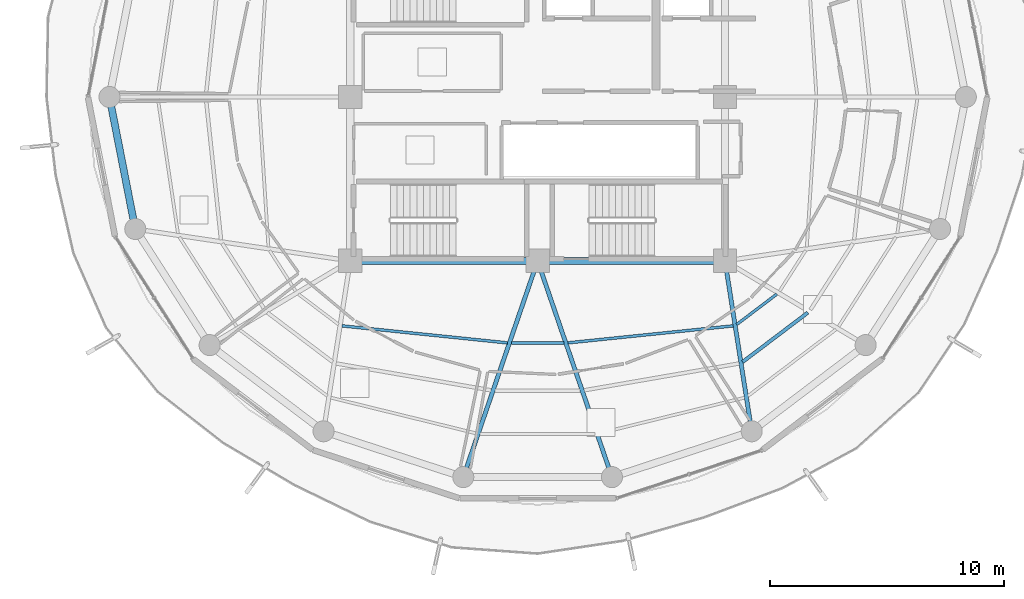
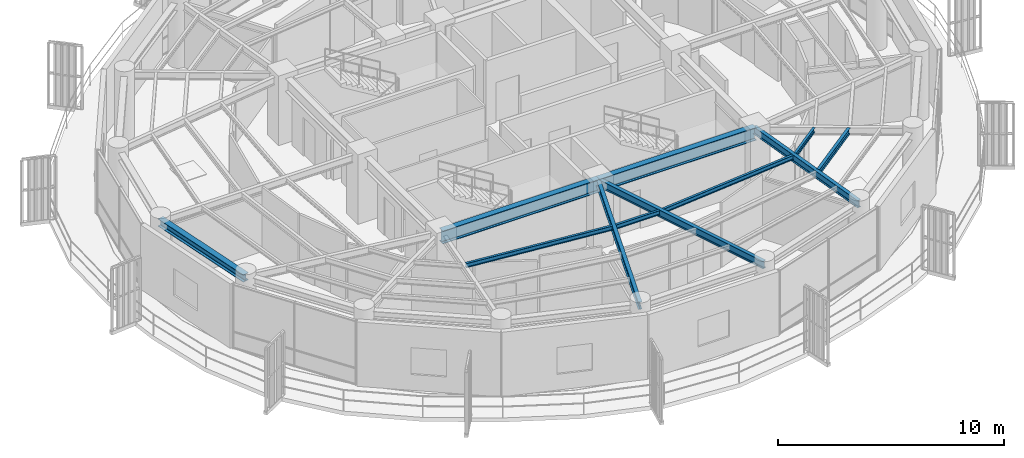
# One storey, part 4 of 22: 11 beams.
"""IFC4 building model written with IfcOpenShell, lengths in metres."""

import ifcopenshell
import ifcopenshell.guid

model = None  # the IFC model being written
_history = None  # IfcOwnerHistory: only IFC2X3 demands one
_inside = {}  # id of a spatial element -> (the spatial element, [elements in it])
_under = {}  # id of a project, library or spatial element -> (it, [spatial elements below it])
_declared = {}  # id of a project -> (the project, [libraries it declares])
_typed = {}  # id of a type object -> (the type object, [elements of that type])
_made_of = {}  # id of a material, layer set ... -> (it, [elements and type objects made of it])


def new_model(schema):
    """Start an empty IFC model of exactly this schema.

    Asked for "IFC4X3", IfcOpenShell would pick the latest addendum, in which some entities
    have other attributes; the version numbers below select the first issue.
    IFC2X3 requires an IfcOwnerHistory on every rooted entity: one is made here for all.
    """
    global model, _history
    if schema == "IFC4X3":
        model = ifcopenshell.file(schema_version=(4, 3, 0, 0))
    else:
        model = ifcopenshell.file(schema=schema)
    _inside.clear()
    _under.clear()
    _declared.clear()
    _typed.clear()
    _made_of.clear()
    _history = None
    if model.schema == "IFC2X3":
        org = make("IfcOrganization", Name="unknown")
        user = make(
            "IfcPersonAndOrganization",
            ThePerson=make("IfcPerson", FamilyName="unknown"),
            TheOrganization=org,
        )
        app = make(
            "IfcApplication",
            ApplicationDeveloper=org,
            Version="unknown",
            ApplicationFullName="unknown",
            ApplicationIdentifier="unknown",
        )
        _history = make(
            "IfcOwnerHistory",
            OwningUser=user,
            OwningApplication=app,
            ChangeAction="ADDED",
            CreationDate=0,
        )
    return model


def make(cls, **values):
    """One entity of the class cls with the attributes given. An attribute that is None is left unset."""
    return model.create_entity(
        cls, **{name: value for name, value in values.items() if value is not None}
    )


def rooted(cls, **values):
    """An entity with a GlobalId (a new one), such as an element, a storey or a relation."""
    return make(cls, GlobalId=ifcopenshell.guid.new(), OwnerHistory=_history, **values)


def si_unit(unit_type, name, prefix=None):
    """IfcSIUnit, for example si_unit("LENGTHUNIT", "METRE", prefix="MILLI")."""
    return make("IfcSIUnit", UnitType=unit_type, Prefix=prefix, Name=name)


def assignment(units):
    """IfcUnitAssignment: the units of a project."""
    return None if units is None else make("IfcUnitAssignment", Units=units)


def point(xyz):
    """IfcCartesianPoint."""
    return None if xyz is None else make("IfcCartesianPoint", Coordinates=xyz)


def direction(xyz):
    """IfcDirection."""
    return None if xyz is None else make("IfcDirection", DirectionRatios=xyz)


def frame(location, z_axis=None, x_axis=None):
    """IfcAxis2Placement3D, a coordinate frame: its origin and axes. An axis left out is left unset."""
    return make(
        "IfcAxis2Placement3D",
        Location=point(location),
        Axis=direction(z_axis),
        RefDirection=direction(x_axis),
    )


def frame_2d(location, x_axis=None):
    """IfcAxis2Placement2D, a coordinate frame in the plane: its origin and x axis."""
    return make(
        "IfcAxis2Placement2D", Location=point(location), RefDirection=direction(x_axis)
    )


def origin():
    """The frame at (0, 0, 0) with its axes left unset."""
    return frame((0.0, 0.0, 0.0))


def origin_2d():
    """The frame at (0, 0) in the plane with its x axis left unset."""
    return frame_2d((0.0, 0.0))


def place(relative_to, where):
    """IfcLocalPlacement: puts the frame where relative to a parent placement (None: the world)."""
    return make(
        "IfcLocalPlacement", PlacementRelTo=relative_to, RelativePlacement=where
    )


def context(
    kind, dimensions, precision=None, world=None, true_north=None, identifier=None
):
    """IfcGeometricRepresentationContext, for example the 3D "Model" context."""
    return make(
        "IfcGeometricRepresentationContext",
        ContextIdentifier=identifier,
        ContextType=kind,
        CoordinateSpaceDimension=dimensions,
        Precision=precision,
        WorldCoordinateSystem=world,
        TrueNorth=true_north,
    )


def subcontext(parent, identifier, kind, view, scale=None):
    """IfcGeometricRepresentationSubContext, for example "Body" below "Model"."""
    return make(
        "IfcGeometricRepresentationSubContext",
        ContextIdentifier=identifier,
        ContextType=kind,
        ParentContext=parent,
        TargetScale=scale,
        TargetView=view,
    )


def project(units=None, contexts=None):
    """IfcProject with its units and contexts."""
    return rooted(
        "IfcProject",
        Name="project",
        RepresentationContexts=contexts,
        UnitsInContext=assignment(units),
    )


def spatial(cls, under=None, at=None, **own):
    """A site, building, storey or space (cls), placed at a placement, below another one or the project."""
    s = rooted(cls, ObjectPlacement=at, **own)
    if under is not None:
        _under.setdefault(under.id(), (under, []))[1].append(s)
    return s


def profile(cls, at=None, kind="AREA", **sizes):
    """A parametric profile (cls). Its sizes go by their IFC names, for example OverallWidth=200.0."""
    return make(cls, ProfileType=kind, Position=at, **sizes)


def i_section(**sizes):
    """IfcIShapeProfileDef."""
    return profile("IfcIShapeProfileDef", **sizes)


def extrude(swept, where, along, depth):
    """IfcExtrudedAreaSolid: the profile swept, set in the frame where, extruded along a direction by depth."""
    return make(
        "IfcExtrudedAreaSolid",
        SweptArea=swept,
        Position=where,
        ExtrudedDirection=direction(along),
        Depth=depth,
    )


def shape(context_of_items, identifier, shape_type, items):
    """IfcShapeRepresentation: the items that make up one representation, for example the "Body"."""
    return make(
        "IfcShapeRepresentation",
        ContextOfItems=context_of_items,
        RepresentationIdentifier=identifier,
        RepresentationType=shape_type,
        Items=items,
    )


def material(Name=None, Category=None):
    """IfcMaterial."""
    return make("IfcMaterial", Name=Name, Category=Category)


def material_profile(
    of_material, cross_section, Name=None, Category=None, Priority=None
):
    """IfcMaterialProfile: a cross section and its material."""
    return make(
        "IfcMaterialProfile",
        Name=Name,
        Material=of_material,
        Profile=cross_section,
        Priority=Priority,
        Category=Category,
    )


def profile_set(profiles, Name=None, composite=None):
    """IfcMaterialProfileSet."""
    return make(
        "IfcMaterialProfileSet",
        Name=Name,
        MaterialProfiles=profiles,
        CompositeProfile=composite,
    )


def made_of(thing, what):
    """Note that an element or type object is made of a material, layer set ...; save() writes the relation."""
    if what is not None:
        _made_of.setdefault(what.id(), (what, []))[1].append(thing)
    return thing


def type_object(cls, material=None, **own):
    """A type object (cls), such as IfcWallType, which elements share."""
    return made_of(rooted(cls, **own), material)


def element(
    cls,
    number,
    at=None,
    inside=None,
    cuts=None,
    type_object=None,
    material=None,
    context=None,
    identifier="Body",
    shape_type=None,
    held_by="IfcProductDefinitionShape",
    body=None,
    shapes=None,
    **own,
):
    """One element of the class cls, such as IfcWall. Its Tag is "e" and its number.

    at: its placement. inside: the storey or other place that contains it. cuts: it is an
    opening in that element (IfcRelVoidsElement). A single representation is given by context,
    identifier, shape_type and body (its items); several are given by shapes. held_by: the class
    of the entity that holds the representations. save() writes the other relations.
    """
    e = rooted(cls, Tag="e%d" % number, ObjectPlacement=at, **own)
    if body is not None:
        shapes = [shape(context, identifier, shape_type, body)]
    if shapes is not None:
        e.Representation = make(held_by, Representations=shapes)
    if inside is not None:
        _inside.setdefault(inside.id(), (inside, []))[1].append(e)
    if cuts is not None:
        rooted(
            "IfcRelVoidsElement", RelatingBuildingElement=cuts, RelatedOpeningElement=e
        )
    if type_object is not None:
        _typed.setdefault(type_object.id(), (type_object, []))[1].append(e)
    return made_of(e, material)


def aggregate(whole, parts):
    """IfcRelAggregates: a whole, such as a stair, and the parts it consists of."""
    return rooted("IfcRelAggregates", RelatingObject=whole, RelatedObjects=parts)


def save(model, path):
    """Write the relations noted so far, then the file.

    IfcRelAggregates (storeys below a building ...), IfcRelContainedInSpatialStructure (elements
    in a storey), IfcRelDefinesByType, IfcRelAssociatesMaterial and IfcRelDeclares: one each for
    every whole, place, type object, material and project.
    """
    for whole, parts in _under.values():
        aggregate(whole, parts)
    for where, things in _inside.values():
        rooted(
            "IfcRelContainedInSpatialStructure",
            RelatedElements=things,
            RelatingStructure=where,
        )
    for kind, things in _typed.values():
        rooted("IfcRelDefinesByType", RelatedObjects=things, RelatingType=kind)
    for what, things in _made_of.values():
        rooted("IfcRelAssociatesMaterial", RelatedObjects=things, RelatingMaterial=what)
    for by, libraries in _declared.values():
        rooted("IfcRelDeclares", RelatingContext=by, RelatedDefinitions=libraries)
    model.write(path)


model = new_model("IFC4")

# Units and contexts
model_context = context("Model", 3, precision=1e-05, world=origin(), true_north=direction((0.0, 1.0)))
body_context = subcontext(model_context, "Body", "Model", "MODEL_VIEW")
ifc_project = project(units=[si_unit("LENGTHUNIT", "METRE"), si_unit("AREAUNIT", "SQUARE_METRE"), si_unit("VOLUMEUNIT", "CUBIC_METRE"), si_unit("PLANEANGLEUNIT", "RADIAN"), si_unit("MASSUNIT", "GRAM", prefix="KILO")], contexts=[model_context])

# Site, building, storey
site_placement = place(None, origin())
site = spatial("IfcSite", under=ifc_project, at=site_placement, CompositionType="ELEMENT")
building_placement = place(site_placement, origin())
building = spatial("IfcBuilding", under=site, at=building_placement, Name="Kelanora Arch Commons", CompositionType="ELEMENT")
storey_placement = place(building_placement, frame((0.0, 0.0, 259.949951171875)))
storey = spatial("IfcBuildingStorey", under=building, at=storey_placement, Name="L66", CompositionType="ELEMENT", Elevation=259.949951171875)

# Beams
ifc_material = material(Name="Steel S355", Category="steel")
ifc_material_profile_1 = material_profile(ifc_material, i_section(OverallWidth=0.300048828125, OverallDepth=0.699951171875, WebThickness=0.01708984375, FlangeThickness=0.031982421875, FilletRadius=0.027099609375, at=origin_2d()), Name="HEB700")
ifc_profile_set_1 = profile_set([ifc_material_profile_1], Name="Steel S355")
beam_type_1 = type_object("IfcBeamType", Name="BM-CORE-HDR", PredefinedType="BEAM", material=ifc_profile_set_1)
for number, where, z_axis, x_axis, name in (
    (1, (66.0, 51.0, 3.14013671875), (1.0, 0.0, 0.0), (0.0, 1.0, 0.0), "Core Header Beam 01 L66"),
    (2, (74.0, 51.0, 3.14013671875), (1.0, 0.0, 0.0), (0.0, 1.0, 0.0), "Core Header Beam 02 L66"),
):
    element("IfcBeam", number, at=place(storey_placement, frame(where, z_axis=z_axis, x_axis=x_axis)), inside=storey, type_object=beam_type_1, Name=name, PredefinedType="BEAM", context=body_context, shape_type="SweptSolid", body=[
        extrude(i_section(OverallWidth=0.300048828125, OverallDepth=0.699951171875, WebThickness=0.01708984375, FlangeThickness=0.031982421875, FilletRadius=0.027099609375, at=origin_2d()), origin(), (0.0, 0.0, 1.0), 8.0),
    ])
ifc_material_profile_2 = material_profile(ifc_material, i_section(OverallWidth=0.14990234375, OverallDepth=0.300048828125, WebThickness=0.007080078125, FlangeThickness=0.0107421875, FilletRadius=0.014892578125, at=origin_2d()), Name="IPE300")
ifc_profile_set_2 = profile_set([ifc_material_profile_2], Name="Steel S355")
beam_type_2 = type_object("IfcBeamType", Name="BM-JST-01", PredefinedType="JOIST", material=ifc_profile_set_2)
beam_1_placement = place(storey_placement, frame((82.751708984375, 46.68798828125, 3.340087890625), z_axis=(0.797499198801, 0.603320004568, 0.0), x_axis=(-0.603320004568, 0.797499198801, 0.0)))
element("IfcBeam", 3, at=beam_1_placement, inside=storey, type_object=beam_type_2, Name="Secondary Chord Joist BJB-30 L66", PredefinedType="JOIST", context=body_context, shape_type="SweptSolid", body=[
    extrude(i_section(OverallWidth=0.14990234375, OverallDepth=0.300048828125, WebThickness=0.007080078125, FlangeThickness=0.0107421875, FilletRadius=0.014892578125, at=origin_2d()), origin(), (0.0, 0.0, 1.0), 3.489013671875),
])
ifc_material_profile_3 = material_profile(ifc_material, i_section(OverallWidth=0.1201171875, OverallDepth=0.239990234375, WebThickness=0.006103515625, FlangeThickness=0.009765625, FilletRadius=0.014892578125, at=origin_2d()), Name="IPE240")
ifc_profile_set_3 = profile_set([ifc_material_profile_3], Name="Steel S355")
beam_type_3 = type_object("IfcBeamType", Name="BM-JST-02", PredefinedType="JOIST", material=ifc_profile_set_3)
beam_2_placement = place(storey_placement, frame((65.6513671875, 48.227783203125, 3.3701171875), z_axis=(0.994746545688, -0.102368500239, 0.0), x_axis=(0.102368500239, 0.994746545688, 0.0)))
element("IfcBeam", 4, at=beam_2_placement, inside=storey, type_object=beam_type_3, Name="Secondary Chord Joist BJA-24 L66", PredefinedType="JOIST", context=body_context, shape_type="SweptSolid", body=[
    extrude(i_section(OverallWidth=0.1201171875, OverallDepth=0.239990234375, WebThickness=0.006103515625, FlangeThickness=0.009765625, FilletRadius=0.014892578125, at=origin_2d()), origin(), (0.0, 0.0, 1.0), 7.09521484375),
])
beam_3_placement = place(storey_placement, frame((72.87890625, 47.492919921875, 3.3701171875), z_axis=(1.0, 0.0, 0.0), x_axis=(0.0, 1.0, 0.0)))
element("IfcBeam", 5, at=beam_3_placement, inside=storey, type_object=beam_type_3, Name="Secondary Chord Joist BJA-26 L66", PredefinedType="JOIST", context=body_context, shape_type="SweptSolid", body=[
    extrude(i_section(OverallWidth=0.1201171875, OverallDepth=0.239990234375, WebThickness=0.006103515625, FlangeThickness=0.009765625, FilletRadius=0.014892578125, at=origin_2d()), origin(), (0.0, 0.0, 1.0), 2.2421875),
])
beam_4_placement = place(storey_placement, frame((75.290771484375, 47.50146484375, 3.3701171875), z_axis=(0.994746545688, 0.102368500239, 0.0), x_axis=(-0.102368500239, 0.994746545688, 0.0)))
element("IfcBeam", 6, at=beam_4_placement, inside=storey, type_object=beam_type_3, Name="Secondary Chord Joist BJA-28 L66", PredefinedType="JOIST", context=body_context, shape_type="SweptSolid", body=[
    extrude(i_section(OverallWidth=0.1201171875, OverallDepth=0.239990234375, WebThickness=0.006103515625, FlangeThickness=0.009765625, FilletRadius=0.014892578125, at=origin_2d()), origin(), (0.0, 0.0, 1.0), 7.09521484375),
])
beam_5_placement = place(storey_placement, frame((82.5009765625, 48.287841796875, 3.3701171875), z_axis=(0.797509883882, 0.603305880222, 0.0), x_axis=(-0.603305880222, 0.797509883882, 0.0)))
element("IfcBeam", 7, at=beam_5_placement, inside=storey, type_object=beam_type_3, Name="Secondary Chord Joist BJA-30 L66", PredefinedType="JOIST", context=body_context, shape_type="SweptSolid", body=[
    extrude(i_section(OverallWidth=0.1201171875, OverallDepth=0.239990234375, WebThickness=0.006103515625, FlangeThickness=0.009765625, FilletRadius=0.014892578125, at=origin_2d()), origin(), (0.0, 0.0, 1.0), 2.147216796875),
])
ifc_material_profile_4 = material_profile(ifc_material, i_section(OverallWidth=0.179931640625, OverallDepth=0.39990234375, WebThickness=0.008544921875, FlangeThickness=0.013427734375, FilletRadius=0.02099609375, at=origin_2d()), Name="IPE400")
ifc_profile_set_4 = profile_set([ifc_material_profile_4], Name="Steel S355")
beam_type_4 = type_object("IfcBeamType", Name="BM-RAD-Z5", PredefinedType="BEAM", material=ifc_profile_set_4)
for number, where, z_axis, x_axis, name in (
    (8, (74.0, 51.0, 3.2900390625), (-0.325233562807, -0.945633718532, 0.0), (0.945633718532, -0.325233562807, 0.0), "Radial Floor Girder BR-26 L66"),
    (9, (74.0, 51.0, 3.2900390625), (0.325233562807, -0.945633718532, 0.0), (0.945633718532, 0.325233562807, 0.0), "Radial Floor Girder BR-28 L66"),
):
    element("IfcBeam", number, at=place(storey_placement, frame(where, z_axis=z_axis, x_axis=x_axis)), inside=storey, type_object=beam_type_4, Name=name, PredefinedType="BEAM", context=body_context, shape_type="SweptSolid", body=[
        extrude(i_section(OverallWidth=0.179931640625, OverallDepth=0.39990234375, WebThickness=0.008544921875, FlangeThickness=0.013427734375, FilletRadius=0.02099609375, at=origin_2d()), origin(), (0.0, 0.0, 1.0), 9.760009765625),
    ])
beam_6_placement = place(storey_placement, frame((82.0, 51.0, 3.2900390625), z_axis=(0.154855424129, -0.987937142544, 0.0), x_axis=(0.987937142544, 0.154855424129, 0.0)))
element("IfcBeam", 10, at=beam_6_placement, inside=storey, type_object=beam_type_4, Name="Radial Floor Girder BR-30 L66", PredefinedType="BEAM", context=body_context, shape_type="SweptSolid", body=[
    extrude(i_section(OverallWidth=0.179931640625, OverallDepth=0.39990234375, WebThickness=0.008544921875, FlangeThickness=0.013427734375, FilletRadius=0.02099609375, at=origin_2d()), origin(), (0.0, 0.0, 1.0), 7.361083984375),
])
ifc_material_profile_5 = material_profile(ifc_material, i_section(OverallWidth=0.300048828125, OverallDepth=0.39990234375, WebThickness=0.013427734375, FlangeThickness=0.02392578125, FilletRadius=0.027099609375, at=origin_2d()), Name="HEB400")
ifc_profile_set_5 = profile_set([ifc_material_profile_5], Name="Steel S355")
beam_type_5 = type_object("IfcBeamType", Name="BM-SPN-Z4", PredefinedType="SPANDREL", material=ifc_profile_set_5)
beam_7_placement = place(storey_placement, frame((55.719970703125, 58.0, 3.2900390625), z_axis=(0.191969774604, -0.981400838413, 0.0), x_axis=(0.981400838413, 0.191969774604, 0.0)))
element("IfcBeam", 11, at=beam_7_placement, inside=storey, type_object=beam_type_5, Name="Perimeter Spandrel Beam BS-18 L66", PredefinedType="SPANDREL", context=body_context, shape_type="SweptSolid", body=[
    extrude(i_section(OverallWidth=0.300048828125, OverallDepth=0.39990234375, WebThickness=0.013427734375, FlangeThickness=0.02392578125, FilletRadius=0.027099609375, at=origin_2d()), origin(), (0.0, 0.0, 1.0), 5.743408203125),
])

save(model, "model.ifc")
